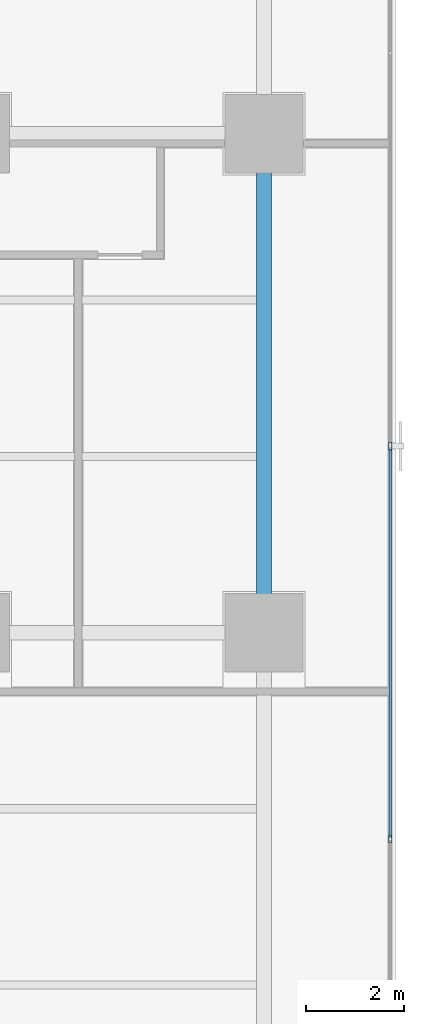
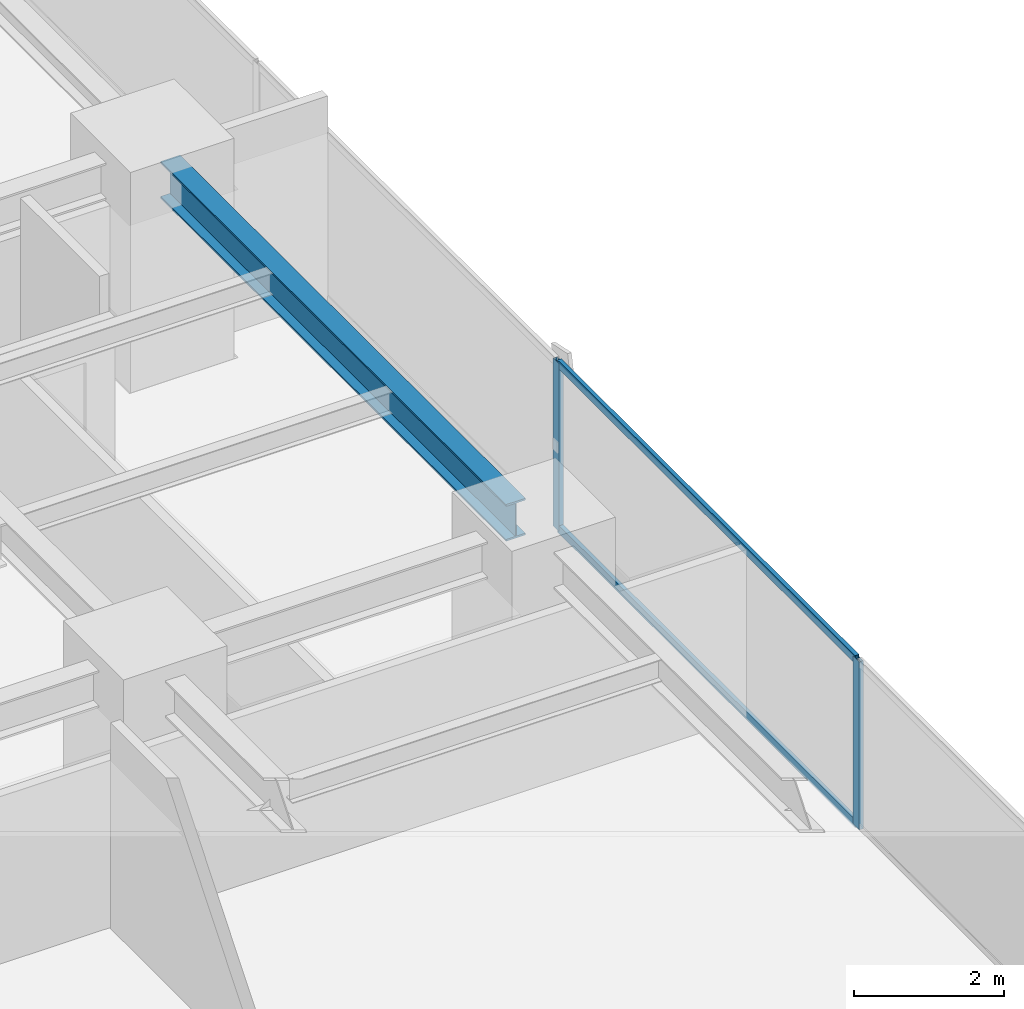
# One storey, part 16 of 34: 4 members, 1 beam, 1 element without a shape of its own.
"""IFC4 building model written with IfcOpenShell, lengths in metres."""

from ifc_helpers import new_model, si_unit, direction, frame, origin, origin_2d, place, context, subcontext, project, spatial, hollow_rectangle, i_section, extrude, source, transform, mapped, material, layer, layer_set, material_profile, profile_set, type_object, element, aggregate, save


model = new_model("IFC4")

# Units and contexts
model_context = context("Model", 3, precision=1e-05, world=origin(), true_north=direction((0.0, 1.0)))
body_context = subcontext(model_context, "Body", "Model", "MODEL_VIEW")
ifc_project = project(units=[si_unit("LENGTHUNIT", "METRE"), si_unit("AREAUNIT", "SQUARE_METRE"), si_unit("VOLUMEUNIT", "CUBIC_METRE"), si_unit("PLANEANGLEUNIT", "RADIAN"), si_unit("MASSUNIT", "GRAM", prefix="KILO")], contexts=[model_context])

# Site, building, storey
site_placement = place(None, origin())
site = spatial("IfcSite", under=ifc_project, at=site_placement, CompositionType="ELEMENT")
building_placement = place(site_placement, origin())
building = spatial("IfcBuilding", under=site, at=building_placement, Name="Sumidabori Civic Tower", CompositionType="ELEMENT")
storey_placement = place(building_placement, frame((0.0, 0.0, 99.199951171875)))
storey = spatial("IfcBuildingStorey", under=building, at=storey_placement, Name="L25", CompositionType="ELEMENT", Elevation=99.199951171875)

# Beam
ifc_material_1 = material(Name="Steel SN490", Category="steel")
ifc_material_profile_1 = material_profile(ifc_material_1, i_section(OverallWidth=0.300048828125, OverallDepth=0.60009765625, WebThickness=0.015380859375, FlangeThickness=0.030029296875, at=origin_2d()), Name="HE 600 B")
ifc_profile_set_1 = profile_set([ifc_material_profile_1], Name="Steel SN490")
beam_type = type_object("IfcBeamType", Name="BM-GIRD-600", PredefinedType="BEAM", material=ifc_profile_set_1)
shared_shape_1 = source(origin(), body_context, "Body", "SweptSolid", [
    extrude(i_section(OverallWidth=0.300048828125, OverallDepth=0.60009765625, WebThickness=0.015380859375, FlangeThickness=0.030029296875, at=origin_2d()), origin(), (0.0, 0.0, 1.0), 9.239990234375),
])
beam_placement = place(storey_placement, frame((22.800048828125, 0.47998046875, 3.06005859375), z_axis=(0.0, 1.0, 0.0), x_axis=(-1.0, 0.0, 0.0)))
element("IfcBeam", 1, at=beam_placement, inside=storey, type_object=beam_type, Name="Primary Girder L25 GY-41", PredefinedType="BEAM", context=body_context, shape_type="MappedRepresentation", body=[
    mapped(shared_shape_1, transform((0.0, 0.0, 0.0), x_axis=(1.0, 0.0, 0.0), y_axis=(0.0, 1.0, 0.0), z_axis=(0.0, 0.0, 1.0), scale=1.0)),
])

# Curtain wall, members
ifc_material_2 = material(Name="Anodised Bronze Aluminium AW-6063-T6", Category="aluminium")
ifc_layer = layer(ifc_material_2, 0.179931640625, Name="Anodised Bronze Aluminium AW-6063-T6")
ifc_layer_set = layer_set([ifc_layer], Name="Anodised Bronze Aluminium AW-6063-T6")
curtain_wall_type = type_object("IfcCurtainWallType", Name="CW-SYS-3", PredefinedType="NOTDEFINED", material=ifc_layer_set)
curtain_wall_placement = place(storey_placement, origin())
curtain_wall = element("IfcCurtainWall", 2, at=curtain_wall_placement, inside=storey, type_object=curtain_wall_type, Name="Curtain Wall CW:L25:R04", PredefinedType="NOTDEFINED")
ifc_material_profile_2 = material_profile(ifc_material_2, hollow_rectangle(XDim=0.06494140625, YDim=0.159912109375, WallThickness=0.0048828125, at=origin_2d()), Name="ALU MULLION 160x65")
ifc_profile_set_2 = profile_set([ifc_material_profile_2], Name="Anodised Bronze Aluminium AW-6063-T6")
member_type_1 = type_object("IfcMemberType", Name="CW-MUL-160", PredefinedType="MULLION", material=ifc_profile_set_2)
shared_shape_2 = source(origin(), body_context, "Body", "SweptSolid", [
    extrude(hollow_rectangle(XDim=0.06494140625, YDim=0.159912109375, WallThickness=0.0048828125, at=origin_2d()), origin(), (0.0, 0.0, 1.0), 2.739990234375),
])
member_1_placement = place(storey_placement, frame((25.3798828125, -4.214111328125, 0.0), z_axis=(0.0, 0.0, 1.0), x_axis=(-1.0, 0.0, 0.0)))
member_1 = element("IfcMember", 3, at=member_1_placement, type_object=member_type_1, Name="CW-3 mullion 3", PredefinedType="MULLION", context=body_context, shape_type="MappedRepresentation", body=[
    mapped(shared_shape_2, transform((0.0, 0.0, 0.0), x_axis=(1.0, 0.0, 0.0), y_axis=(0.0, 1.0, 0.0), z_axis=(0.0, 0.0, 1.0), scale=1.0)),
])
member_2_placement = place(storey_placement, frame((25.3798828125, 3.81396484375, 0.0), z_axis=(0.0, 0.0, 1.0), x_axis=(-1.0, 0.0, 0.0)))
member_2 = element("IfcMember", 4, at=member_2_placement, type_object=member_type_1, Name="CW-3 mullion 4", PredefinedType="MULLION", context=body_context, shape_type="MappedRepresentation", body=[
    mapped(shared_shape_2, transform((0.0, 0.0, 0.0), x_axis=(1.0, 0.0, 0.0), y_axis=(0.0, 1.0, 0.0), z_axis=(0.0, 0.0, 1.0), scale=1.0)),
])
ifc_material_profile_3 = material_profile(ifc_material_2, hollow_rectangle(XDim=0.06005859375, YDim=0.1298828125, WallThickness=0.0048828125, at=origin_2d()), Name="ALU TRANSOM 130x60")
ifc_profile_set_3 = profile_set([ifc_material_profile_3], Name="Anodised Bronze Aluminium AW-6063-T6")
member_type_2 = type_object("IfcMemberType", Name="CW-TRN-130", PredefinedType="USERDEFINED", material=ifc_profile_set_3)
shared_shape_3 = source(origin(), body_context, "Body", "SweptSolid", [
    extrude(hollow_rectangle(XDim=0.06005859375, YDim=0.1298828125, WallThickness=0.0048828125, at=origin_2d()), origin(), (0.0, 0.0, 1.0), 7.962890625),
])
member_3_placement = place(storey_placement, frame((25.3798828125, -4.181396484375, 0.030029296875), z_axis=(0.0, 1.0, 0.0), x_axis=(-1.0, 0.0, 0.0)))
member_3 = element("IfcMember", 5, at=member_3_placement, type_object=member_type_2, Name="CW-3 transom 3.1", ObjectType="TRANSOM", PredefinedType="USERDEFINED", context=body_context, shape_type="MappedRepresentation", body=[
    mapped(shared_shape_3, transform((0.0, 0.0, 0.0), x_axis=(1.0, 0.0, 0.0), y_axis=(0.0, 1.0, 0.0), z_axis=(0.0, 0.0, 1.0), scale=1.0)),
])
member_4_placement = place(storey_placement, frame((25.3798828125, -4.181396484375, 2.7099609375), z_axis=(0.0, 1.0, 0.0), x_axis=(-1.0, 0.0, 0.0)))
member_4 = element("IfcMember", 6, at=member_4_placement, type_object=member_type_2, Name="CW-3 transom 3.2", ObjectType="TRANSOM", PredefinedType="USERDEFINED", context=body_context, shape_type="MappedRepresentation", body=[
    mapped(shared_shape_3, transform((0.0, 0.0, 0.0), x_axis=(1.0, 0.0, 0.0), y_axis=(0.0, 1.0, 0.0), z_axis=(0.0, 0.0, 1.0), scale=1.0)),
])
aggregate(curtain_wall, [member_1, member_2, member_3, member_4])

save(model, "model.ifc")
